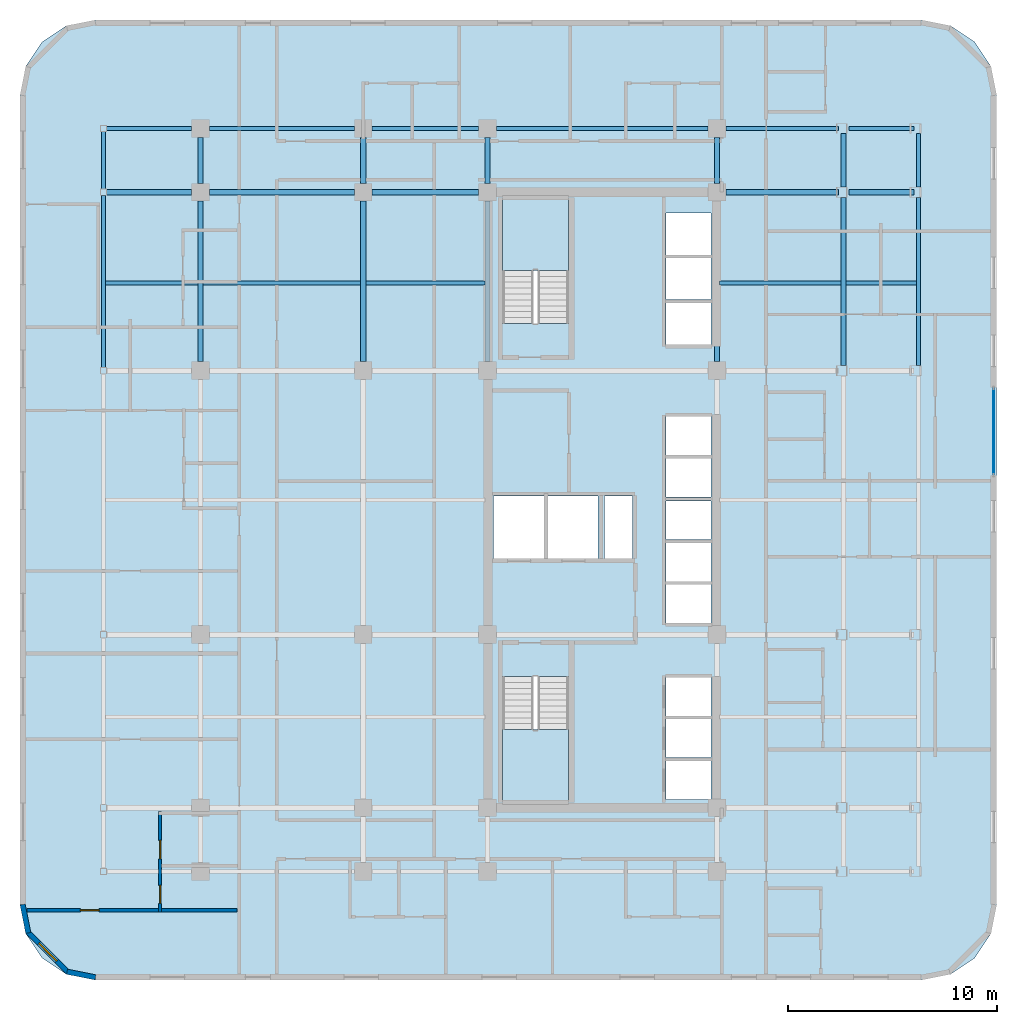
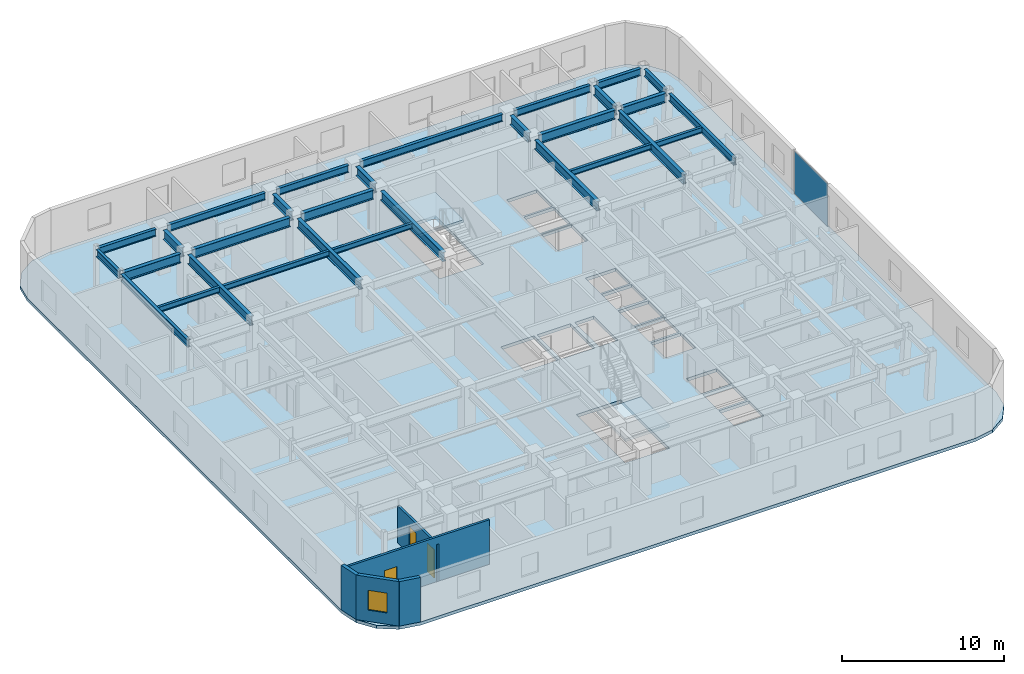
# One storey, part 6 of 13: 30 beams, 5 walls, 3 doors, 3 slabs, 1 plate, 1 window, 4 openings, 3 elements without a shape of their own.
"""IFC4 building model written with IfcOpenShell, lengths in metres."""

from ifc_helpers import new_model, si_unit, direction, frame, frame_2d, origin, origin_2d, place, context, subcontext, project, spatial, polyline, rectangle, i_section, outline, extrude, material, layer, layer_set, material_profile, profile_set, type_object, element, fill, aggregate, save


model = new_model("IFC4")

# Units and contexts
model_context = context("Model", 3, precision=1e-05, world=origin(), true_north=direction((0.0, 1.0)))
body_context = subcontext(model_context, "Body", "Model", "MODEL_VIEW")
ifc_project = project(units=[si_unit("LENGTHUNIT", "METRE"), si_unit("AREAUNIT", "SQUARE_METRE"), si_unit("VOLUMEUNIT", "CUBIC_METRE"), si_unit("PLANEANGLEUNIT", "RADIAN"), si_unit("MASSUNIT", "GRAM", prefix="KILO")], contexts=[model_context])

# Site, building, storey
site_placement = place(None, origin())
site = spatial("IfcSite", under=ifc_project, at=site_placement, CompositionType="ELEMENT")
building_placement = place(site_placement, origin())
building = spatial("IfcBuilding", under=site, at=building_placement, Name="Ochreholt Gables", CompositionType="ELEMENT")
storey_placement = place(building_placement, frame((0.0, 0.0, 34.800048828125)))
storey = spatial("IfcBuildingStorey", under=building, at=storey_placement, Name="L08", CompositionType="ELEMENT", Elevation=34.800048828125)

# Beams
ifc_material_1 = material(Name="Steel CSA G40.21 350W", Category="steel")
ifc_material_profile_1 = material_profile(ifc_material_1, i_section(OverallWidth=0.256103515625, OverallDepth=0.693115234375, WebThickness=0.014404296875, FlangeThickness=0.023681640625, at=origin_2d()), Name="W690X170")
ifc_profile_set_1 = profile_set([ifc_material_profile_1], Name="Steel CSA G40.21 350W")
beam_type_1 = type_object("IfcBeamType", Name="BM-G-W690", PredefinedType="BEAM", material=ifc_profile_set_1)
beam_1_placement = place(storey_placement, frame((5.9521484375, 38.75, 3.013427734375), z_axis=(1.0, 0.0, 0.0), x_axis=(0.0, 1.0, 0.0)))
element("IfcBeam", 1, at=beam_1_placement, inside=storey, type_object=beam_type_1, Name="L08 Beam TBG-L08-WTW2-Y5", PredefinedType="BEAM", context=body_context, shape_type="SweptSolid", body=[
    extrude(i_section(OverallWidth=0.256103515625, OverallDepth=0.693115234375, WebThickness=0.014404296875, FlangeThickness=0.023681640625, at=origin_2d()), origin(), (0.0, 0.0, 1.0), 4.0732421875),
])
beam_2_placement = place(storey_placement, frame((10.87451171875, 38.75, 3.013427734375), z_axis=(1.0, 0.0, 0.0), x_axis=(0.0, 1.0, 0.0)))
element("IfcBeam", 2, at=beam_2_placement, inside=storey, type_object=beam_type_1, Name="L08 Beam TBG-L08-W2W3-Y5", PredefinedType="BEAM", context=body_context, shape_type="SweptSolid", body=[
    extrude(i_section(OverallWidth=0.256103515625, OverallDepth=0.693115234375, WebThickness=0.014404296875, FlangeThickness=0.023681640625, at=origin_2d()), origin(), (0.0, 0.0, 1.0), 6.950927734375),
])
beam_3_placement = place(storey_placement, frame((18.674560546875, 38.75, 3.013427734375), z_axis=(1.0, 0.0, 0.0), x_axis=(0.0, 1.0, 0.0)))
element("IfcBeam", 3, at=beam_3_placement, inside=storey, type_object=beam_type_1, Name="L08 Beam TBG-L08-W3C1-Y5", PredefinedType="BEAM", context=body_context, shape_type="SweptSolid", body=[
    extrude(i_section(OverallWidth=0.256103515625, OverallDepth=0.693115234375, WebThickness=0.014404296875, FlangeThickness=0.023681640625, at=origin_2d()), origin(), (0.0, 0.0, 1.0), 5.100830078125),
])
beam_4_placement = place(storey_placement, frame((35.62451171875, 38.75, 3.013427734375), z_axis=(1.0, 0.0, 0.0), x_axis=(0.0, 1.0, 0.0)))
element("IfcBeam", 4, at=beam_4_placement, inside=storey, type_object=beam_type_1, Name="L08 Beam TBG-L08-C2EM-Y5", PredefinedType="BEAM", context=body_context, shape_type="SweptSolid", body=[
    extrude(i_section(OverallWidth=0.256103515625, OverallDepth=0.693115234375, WebThickness=0.014404296875, FlangeThickness=0.023681640625, at=origin_2d()), origin(), (0.0, 0.0, 1.0), 5.406005859375),
])
beam_5_placement = place(storey_placement, frame((41.529541015625, 38.75, 3.013427734375), z_axis=(1.0, 0.0, 0.0), x_axis=(0.0, 1.0, 0.0)))
element("IfcBeam", 5, at=beam_5_placement, inside=storey, type_object=beam_type_1, Name="L08 Beam TBG-L08-EMEE-Y5", PredefinedType="BEAM", context=body_context, shape_type="SweptSolid", body=[
    extrude(i_section(OverallWidth=0.256103515625, OverallDepth=0.693115234375, WebThickness=0.014404296875, FlangeThickness=0.023681640625, at=origin_2d()), origin(), (0.0, 0.0, 1.0), 3.10498046875),
])
beam_6_placement = place(storey_placement, frame((10.449951171875, 30.62451171875, 3.013427734375), z_axis=(0.0, 1.0, 0.0), x_axis=(-1.0, 0.0, 0.0)))
element("IfcBeam", 6, at=beam_6_placement, inside=storey, type_object=beam_type_1, Name="L08 Beam TBN-L08-W2-Y4Y5", PredefinedType="BEAM", context=body_context, shape_type="SweptSolid", body=[
    extrude(i_section(OverallWidth=0.256103515625, OverallDepth=0.693115234375, WebThickness=0.014404296875, FlangeThickness=0.023681640625, at=origin_2d()), origin(), (0.0, 0.0, 1.0), 7.700927734375),
])
beam_7_placement = place(storey_placement, frame((10.449951171875, 39.174560546875, 3.013427734375), z_axis=(0.0, 1.0, 0.0), x_axis=(-1.0, 0.0, 0.0)))
element("IfcBeam", 7, at=beam_7_placement, inside=storey, type_object=beam_type_1, Name="L08 Beam TBN-L08-W2-Y5Y6", PredefinedType="BEAM", context=body_context, shape_type="SweptSolid", body=[
    extrude(i_section(OverallWidth=0.256103515625, OverallDepth=0.693115234375, WebThickness=0.014404296875, FlangeThickness=0.023681640625, at=origin_2d()), origin(), (0.0, 0.0, 1.0), 2.200927734375),
])
beam_8_placement = place(storey_placement, frame((18.25, 30.62451171875, 3.013427734375), z_axis=(0.0, 1.0, 0.0), x_axis=(-1.0, 0.0, 0.0)))
element("IfcBeam", 8, at=beam_8_placement, inside=storey, type_object=beam_type_1, Name="L08 Beam TBN-L08-W3-Y4Y5", PredefinedType="BEAM", context=body_context, shape_type="SweptSolid", body=[
    extrude(i_section(OverallWidth=0.256103515625, OverallDepth=0.693115234375, WebThickness=0.014404296875, FlangeThickness=0.023681640625, at=origin_2d()), origin(), (0.0, 0.0, 1.0), 7.700927734375),
])
beam_9_placement = place(storey_placement, frame((18.25, 39.174560546875, 3.013427734375), z_axis=(0.0, 1.0, 0.0), x_axis=(-1.0, 0.0, 0.0)))
element("IfcBeam", 9, at=beam_9_placement, inside=storey, type_object=beam_type_1, Name="L08 Beam TBN-L08-W3-Y5Y6", PredefinedType="BEAM", context=body_context, shape_type="SweptSolid", body=[
    extrude(i_section(OverallWidth=0.256103515625, OverallDepth=0.693115234375, WebThickness=0.014404296875, FlangeThickness=0.023681640625, at=origin_2d()), origin(), (0.0, 0.0, 1.0), 2.200927734375),
])
beam_10_placement = place(storey_placement, frame((24.199951171875, 30.62451171875, 3.013427734375), z_axis=(0.0, 1.0, 0.0), x_axis=(-1.0, 0.0, 0.0)))
element("IfcBeam", 10, at=beam_10_placement, inside=storey, type_object=beam_type_1, Name="L08 Beam TBN-L08-C1-Y4Y5", PredefinedType="BEAM", context=body_context, shape_type="SweptSolid", body=[
    extrude(i_section(OverallWidth=0.256103515625, OverallDepth=0.693115234375, WebThickness=0.014404296875, FlangeThickness=0.023681640625, at=origin_2d()), origin(), (0.0, 0.0, 1.0), 7.700927734375),
])
beam_11_placement = place(storey_placement, frame((24.199951171875, 39.174560546875, 3.013427734375), z_axis=(0.0, 1.0, 0.0), x_axis=(-1.0, 0.0, 0.0)))
element("IfcBeam", 11, at=beam_11_placement, inside=storey, type_object=beam_type_1, Name="L08 Beam TBN-L08-C1-Y5Y6", PredefinedType="BEAM", context=body_context, shape_type="SweptSolid", body=[
    extrude(i_section(OverallWidth=0.256103515625, OverallDepth=0.693115234375, WebThickness=0.014404296875, FlangeThickness=0.023681640625, at=origin_2d()), origin(), (0.0, 0.0, 1.0), 2.200927734375),
])
beam_12_placement = place(storey_placement, frame((35.199951171875, 30.62451171875, 3.013427734375), z_axis=(0.0, 1.0, 0.0), x_axis=(-1.0, 0.0, 0.0)))
element("IfcBeam", 12, at=beam_12_placement, inside=storey, type_object=beam_type_1, Name="L08 Beam TBN-L08-C2-Y4Y5", PredefinedType="BEAM", context=body_context, shape_type="SweptSolid", body=[
    extrude(i_section(OverallWidth=0.256103515625, OverallDepth=0.693115234375, WebThickness=0.014404296875, FlangeThickness=0.023681640625, at=origin_2d()), origin(), (0.0, 0.0, 1.0), 7.700927734375),
])
beam_13_placement = place(storey_placement, frame((35.199951171875, 39.174560546875, 3.013427734375), z_axis=(0.0, 1.0, 0.0), x_axis=(-1.0, 0.0, 0.0)))
element("IfcBeam", 13, at=beam_13_placement, inside=storey, type_object=beam_type_1, Name="L08 Beam TBN-L08-C2-Y5Y6", PredefinedType="BEAM", context=body_context, shape_type="SweptSolid", body=[
    extrude(i_section(OverallWidth=0.256103515625, OverallDepth=0.693115234375, WebThickness=0.014404296875, FlangeThickness=0.023681640625, at=origin_2d()), origin(), (0.0, 0.0, 1.0), 2.200927734375),
])
beam_14_placement = place(storey_placement, frame((41.262939453125, 30.44970703125, 3.013427734375), z_axis=(0.0, 1.0, 0.0), x_axis=(-1.0, 0.0, 0.0)))
element("IfcBeam", 14, at=beam_14_placement, inside=storey, type_object=beam_type_1, Name="L08 Beam TBN-L08-EM-Y4Y5", PredefinedType="BEAM", context=body_context, shape_type="SweptSolid", body=[
    extrude(i_section(OverallWidth=0.256103515625, OverallDepth=0.693115234375, WebThickness=0.014404296875, FlangeThickness=0.023681640625, at=origin_2d()), origin(), (0.0, 0.0, 1.0), 8.05078125),
])
beam_15_placement = place(storey_placement, frame((41.262939453125, 38.99951171875, 3.013427734375), z_axis=(0.0, 1.0, 0.0), x_axis=(-1.0, 0.0, 0.0)))
element("IfcBeam", 15, at=beam_15_placement, inside=storey, type_object=beam_type_1, Name="L08 Beam TBN-L08-EM-Y5Y6", PredefinedType="BEAM", context=body_context, shape_type="SweptSolid", body=[
    extrude(i_section(OverallWidth=0.256103515625, OverallDepth=0.693115234375, WebThickness=0.014404296875, FlangeThickness=0.023681640625, at=origin_2d()), origin(), (0.0, 0.0, 1.0), 2.55078125),
])
ifc_material_profile_2 = material_profile(ifc_material_1, i_section(OverallWidth=0.178955078125, OverallDepth=0.409912109375, WebThickness=0.0087890625, FlangeThickness=0.014404296875, at=origin_2d()), Name="W410X67")
ifc_profile_set_2 = profile_set([ifc_material_profile_2], Name="Steel CSA G40.21 350W")
beam_type_2 = type_object("IfcBeamType", Name="BM-J-W410", PredefinedType="JOIST", material=ifc_profile_set_2)
beam_16_placement = place(storey_placement, frame((5.904052734375, 34.39990234375, 3.155029296875), z_axis=(1.0, 0.0, 0.0), x_axis=(0.0, 1.0, 0.0)))
element("IfcBeam", 16, at=beam_16_placement, inside=storey, type_object=beam_type_2, Name="L08 Beam TBJ-L08-J3-WTW2", PredefinedType="JOIST", context=body_context, shape_type="SweptSolid", body=[
    extrude(i_section(OverallWidth=0.178955078125, OverallDepth=0.409912109375, WebThickness=0.0087890625, FlangeThickness=0.014404296875, at=origin_2d()), origin(), (0.0, 0.0, 1.0), 4.41845703125),
])
beam_17_placement = place(storey_placement, frame((10.57763671875, 34.39990234375, 3.155029296875), z_axis=(1.0, 0.0, 0.0), x_axis=(0.0, 1.0, 0.0)))
element("IfcBeam", 17, at=beam_17_placement, inside=storey, type_object=beam_type_2, Name="L08 Beam TBJ-L08-J3-W2W3", PredefinedType="JOIST", context=body_context, shape_type="SweptSolid", body=[
    extrude(i_section(OverallWidth=0.178955078125, OverallDepth=0.409912109375, WebThickness=0.0087890625, FlangeThickness=0.014404296875, at=origin_2d()), origin(), (0.0, 0.0, 1.0), 7.544677734375),
])
beam_18_placement = place(storey_placement, frame((18.377685546875, 34.39990234375, 3.155029296875), z_axis=(1.0, 0.0, 0.0), x_axis=(0.0, 1.0, 0.0)))
element("IfcBeam", 18, at=beam_18_placement, inside=storey, type_object=beam_type_2, Name="L08 Beam TBJ-L08-J3-W3C1", PredefinedType="JOIST", context=body_context, shape_type="SweptSolid", body=[
    extrude(i_section(OverallWidth=0.178955078125, OverallDepth=0.409912109375, WebThickness=0.0087890625, FlangeThickness=0.014404296875, at=origin_2d()), origin(), (0.0, 0.0, 1.0), 5.69482421875),
])
beam_19_placement = place(storey_placement, frame((35.32763671875, 34.39990234375, 3.155029296875), z_axis=(1.0, 0.0, 0.0), x_axis=(0.0, 1.0, 0.0)))
element("IfcBeam", 19, at=beam_19_placement, inside=storey, type_object=beam_type_2, Name="L08 Beam TBJ-L08-J3-C2EM", PredefinedType="JOIST", context=body_context, shape_type="SweptSolid", body=[
    extrude(i_section(OverallWidth=0.178955078125, OverallDepth=0.409912109375, WebThickness=0.0087890625, FlangeThickness=0.014404296875, at=origin_2d()), origin(), (0.0, 0.0, 1.0), 5.8076171875),
])
beam_20_placement = place(storey_placement, frame((41.390380859375, 34.39990234375, 3.155029296875), z_axis=(1.0, 0.0, 0.0), x_axis=(0.0, 1.0, 0.0)))
element("IfcBeam", 20, at=beam_20_placement, inside=storey, type_object=beam_type_2, Name="L08 Beam TBJ-L08-J3-EMEE", PredefinedType="JOIST", context=body_context, shape_type="SweptSolid", body=[
    extrude(i_section(OverallWidth=0.178955078125, OverallDepth=0.409912109375, WebThickness=0.0087890625, FlangeThickness=0.014404296875, at=origin_2d()), origin(), (0.0, 0.0, 1.0), 3.361083984375),
])
ifc_material_profile_3 = material_profile(ifc_material_1, i_section(OverallWidth=0.208984375, OverallDepth=0.532958984375, WebThickness=0.01025390625, FlangeThickness=0.015625, at=origin_2d()), Name="W530X92")
ifc_profile_set_3 = profile_set([ifc_material_profile_3], Name="Steel CSA G40.21 350W")
beam_type_3 = type_object("IfcBeamType", Name="BM-SP-W530B", PredefinedType="SPANDREL", material=ifc_profile_set_3)
beam_21_placement = place(storey_placement, frame((5.9521484375, 41.800048828125, 3.093505859375), z_axis=(1.0, 0.0, 0.0), x_axis=(0.0, 1.0, 0.0)))
element("IfcBeam", 21, at=beam_21_placement, inside=storey, type_object=beam_type_3, Name="L08 Beam TBG-L08-WTW2-Y6", PredefinedType="SPANDREL", context=body_context, shape_type="SweptSolid", body=[
    extrude(i_section(OverallWidth=0.208984375, OverallDepth=0.532958984375, WebThickness=0.01025390625, FlangeThickness=0.015625, at=origin_2d()), origin(), (0.0, 0.0, 1.0), 4.0732421875),
])
beam_22_placement = place(storey_placement, frame((10.87451171875, 41.800048828125, 3.093505859375), z_axis=(1.0, 0.0, 0.0), x_axis=(0.0, 1.0, 0.0)))
element("IfcBeam", 22, at=beam_22_placement, inside=storey, type_object=beam_type_3, Name="L08 Beam TBG-L08-W2W3-Y6", PredefinedType="SPANDREL", context=body_context, shape_type="SweptSolid", body=[
    extrude(i_section(OverallWidth=0.208984375, OverallDepth=0.532958984375, WebThickness=0.01025390625, FlangeThickness=0.015625, at=origin_2d()), origin(), (0.0, 0.0, 1.0), 6.950927734375),
])
beam_23_placement = place(storey_placement, frame((18.674560546875, 41.800048828125, 3.093505859375), z_axis=(1.0, 0.0, 0.0), x_axis=(0.0, 1.0, 0.0)))
element("IfcBeam", 23, at=beam_23_placement, inside=storey, type_object=beam_type_3, Name="L08 Beam TBG-L08-W3C1-Y6", PredefinedType="SPANDREL", context=body_context, shape_type="SweptSolid", body=[
    extrude(i_section(OverallWidth=0.208984375, OverallDepth=0.532958984375, WebThickness=0.01025390625, FlangeThickness=0.015625, at=origin_2d()), origin(), (0.0, 0.0, 1.0), 5.100830078125),
])
beam_24_placement = place(storey_placement, frame((24.62451171875, 41.800048828125, 3.093505859375), z_axis=(1.0, 0.0, 0.0), x_axis=(0.0, 1.0, 0.0)))
element("IfcBeam", 24, at=beam_24_placement, inside=storey, type_object=beam_type_3, Name="L08 Beam TBG-L08-C1C2-Y6", PredefinedType="SPANDREL", context=body_context, shape_type="SweptSolid", body=[
    extrude(i_section(OverallWidth=0.208984375, OverallDepth=0.532958984375, WebThickness=0.01025390625, FlangeThickness=0.015625, at=origin_2d()), origin(), (0.0, 0.0, 1.0), 10.15087890625),
])
beam_25_placement = place(storey_placement, frame((35.62451171875, 41.800048828125, 3.093505859375), z_axis=(1.0, 0.0, 0.0), x_axis=(0.0, 1.0, 0.0)))
element("IfcBeam", 25, at=beam_25_placement, inside=storey, type_object=beam_type_3, Name="L08 Beam TBG-L08-C2EM-Y6", PredefinedType="SPANDREL", context=body_context, shape_type="SweptSolid", body=[
    extrude(i_section(OverallWidth=0.208984375, OverallDepth=0.532958984375, WebThickness=0.01025390625, FlangeThickness=0.015625, at=origin_2d()), origin(), (0.0, 0.0, 1.0), 5.406005859375),
])
beam_26_placement = place(storey_placement, frame((41.529541015625, 41.800048828125, 3.093505859375), z_axis=(1.0, 0.0, 0.0), x_axis=(0.0, 1.0, 0.0)))
element("IfcBeam", 26, at=beam_26_placement, inside=storey, type_object=beam_type_3, Name="L08 Beam TBG-L08-EMEE-Y6", PredefinedType="SPANDREL", context=body_context, shape_type="SweptSolid", body=[
    extrude(i_section(OverallWidth=0.208984375, OverallDepth=0.532958984375, WebThickness=0.01025390625, FlangeThickness=0.015625, at=origin_2d()), origin(), (0.0, 0.0, 1.0), 3.10498046875),
])
beam_27_placement = place(storey_placement, frame((5.800048828125, 30.35205078125, 3.093505859375), z_axis=(0.0, 1.0, 0.0), x_axis=(-1.0, 0.0, 0.0)))
element("IfcBeam", 27, at=beam_27_placement, inside=storey, type_object=beam_type_3, Name="L08 Beam TBN-L08-WT-Y4Y5", PredefinedType="SPANDREL", context=body_context, shape_type="SweptSolid", body=[
    extrude(i_section(OverallWidth=0.208984375, OverallDepth=0.532958984375, WebThickness=0.01025390625, FlangeThickness=0.015625, at=origin_2d()), origin(), (0.0, 0.0, 1.0), 8.245849609375),
])
beam_28_placement = place(storey_placement, frame((5.800048828125, 38.902099609375, 3.093505859375), z_axis=(0.0, 1.0, 0.0), x_axis=(-1.0, 0.0, 0.0)))
element("IfcBeam", 28, at=beam_28_placement, inside=storey, type_object=beam_type_3, Name="L08 Beam TBN-L08-WT-Y5Y6", PredefinedType="SPANDREL", context=body_context, shape_type="SweptSolid", body=[
    extrude(i_section(OverallWidth=0.208984375, OverallDepth=0.532958984375, WebThickness=0.01025390625, FlangeThickness=0.015625, at=origin_2d()), origin(), (0.0, 0.0, 1.0), 2.745849609375),
])
beam_29_placement = place(storey_placement, frame((44.855712890625, 30.44970703125, 3.093505859375), z_axis=(0.0, 1.0, 0.0), x_axis=(-1.0, 0.0, 0.0)))
element("IfcBeam", 29, at=beam_29_placement, inside=storey, type_object=beam_type_3, Name="L08 Beam TBN-L08-EE-Y4Y5", PredefinedType="SPANDREL", context=body_context, shape_type="SweptSolid", body=[
    extrude(i_section(OverallWidth=0.208984375, OverallDepth=0.532958984375, WebThickness=0.01025390625, FlangeThickness=0.015625, at=origin_2d()), origin(), (0.0, 0.0, 1.0), 8.05078125),
])
beam_30_placement = place(storey_placement, frame((44.855712890625, 38.99951171875, 3.093505859375), z_axis=(0.0, 1.0, 0.0), x_axis=(-1.0, 0.0, 0.0)))
element("IfcBeam", 30, at=beam_30_placement, inside=storey, type_object=beam_type_3, Name="L08 Beam TBN-L08-EE-Y5Y6", PredefinedType="SPANDREL", context=body_context, shape_type="SweptSolid", body=[
    extrude(i_section(OverallWidth=0.208984375, OverallDepth=0.532958984375, WebThickness=0.01025390625, FlangeThickness=0.015625, at=origin_2d()), origin(), (0.0, 0.0, 1.0), 2.55078125),
])

# Curtain wall, plate
ifc_material_2 = material(Name="Unitised Aluminium and Triple Glazing", Category="aluminium")
ifc_layer_1 = layer(ifc_material_2, 0.179931640625, Name="Unitised Aluminium and Triple Glazing")
ifc_layer_set_1 = layer_set([ifc_layer_1], Name="Unitised Aluminium and Triple Glazing")
curtain_wall_type = type_object("IfcCurtainWallType", Name="CW-SYS2", PredefinedType="NOTDEFINED", material=ifc_layer_set_1)
curtain_wall_placement = place(storey_placement, origin())
curtain_wall = element("IfcCurtainWall", 31, at=curtain_wall_placement, inside=storey, type_object=curtain_wall_type, Name="L08 East Unitised Curtain Wall", PredefinedType="NOTDEFINED")
ifc_material_3 = material(Name="Triple Low-E Insulating Glass", Category="glass")
ifc_layer_2 = layer(ifc_material_3, 0.031982421875, Name="Triple Low-E Insulating Glass")
ifc_layer_set_2 = layer_set([ifc_layer_2], Name="Triple Low-E Insulating Glass")
plate_type = type_object("IfcPlateType", Name="CW-PNL-32", PredefinedType="CURTAIN_PANEL", material=ifc_layer_set_2)
plate_placement = place(storey_placement, frame((48.455078125, 27.284912109375, 0.06494140625), z_axis=(0.0, 0.0, 1.0), x_axis=(0.0, 1.0, 0.0)))
plate = element("IfcPlate", 32, at=plate_placement, type_object=plate_type, Name="CW-2 panel 1.1", PredefinedType="CURTAIN_PANEL", context=body_context, shape_type="SweptSolid", body=[
    extrude(rectangle(XDim=4.10009765625, YDim=0.031982421875, at=origin_2d()), origin(), (0.0, 0.0, 1.0), 3.22998046875),
])
aggregate(curtain_wall, [plate])

# Stair, slab
ifc_material_4 = material(Name="Concrete 40 MPa", Category="concrete")
stair_type_1 = type_object("IfcStairType", Name="STAIR-CORE-ST-1", PredefinedType="HALF_TURN_STAIR", material=ifc_material_4)
stair_1_placement = place(storey_placement, origin())
stair_1 = element("IfcStair", 33, at=stair_1_placement, inside=storey, type_object=stair_type_1, Name="L08 Core Exit Stair 1", PredefinedType="HALF_TURN_STAIR")
ifc_layer_3 = layer(ifc_material_4, 0.199951171875, Name="Concrete 40 MPa")
ifc_layer_set_3 = layer_set([ifc_layer_3], Name="Concrete 40 MPa")
slab_type_1 = type_object("IfcSlabType", Name="LANDING-RC200", PredefinedType="LANDING", material=ifc_layer_set_3)
slab_1_placement = place(storey_placement, frame((0.0, 0.0, 1.599853515625)))
slab_1 = element("IfcSlab", 34, at=slab_1_placement, type_object=slab_type_1, Name="ST-1 landing 1", PredefinedType="LANDING", context=body_context, shape_type="SweptSolid", body=[
    extrude(outline(polyline([(24.919921875, 13.001953125), (24.919921875, 9.52001953125), (28.080078125, 9.52001953125), (28.080078125, 13.001953125), (24.919921875, 13.001953125)])), origin(), (0.0, 0.0, 1.0), 0.2001953125),
])
aggregate(stair_1, [slab_1])

stair_type_2 = type_object("IfcStairType", Name="STAIR-CORE-ST-2", PredefinedType="HALF_TURN_STAIR", material=ifc_material_4)
stair_2_placement = place(storey_placement, origin())
stair_2 = element("IfcStair", 35, at=stair_2_placement, inside=storey, type_object=stair_type_2, Name="L08 Core Exit Stair 2", PredefinedType="HALF_TURN_STAIR")
slab_2_placement = place(storey_placement, frame((0.0, 0.0, 1.599853515625)))
slab_2 = element("IfcSlab", 36, at=slab_2_placement, type_object=slab_type_1, Name="ST-2 landing 1", PredefinedType="LANDING", context=body_context, shape_type="SweptSolid", body=[
    extrude(outline(polyline([(28.080078125, 34.998046875), (28.080078125, 38.47998046875), (24.919921875, 38.47998046875), (24.919921875, 34.998046875), (28.080078125, 34.998046875)])), origin(), (0.0, 0.0, 1.0), 0.2001953125),
])
aggregate(stair_2, [slab_2])

# Slab
ifc_layer_4 = layer(ifc_material_4, 0.239990234375, Name="Concrete 40 MPa")
ifc_layer_set_4 = layer_set([ifc_layer_4], Name="Concrete 40 MPa")
slab_type_2 = type_object("IfcSlabType", Name="SLAB-TWR-240", PredefinedType="FLOOR", material=ifc_layer_set_4)
slab_3_placement = place(storey_placement, frame((0.0, 0.0, -0.239990234375)))
element("IfcSlab", 37, at=slab_3_placement, inside=storey, type_object=slab_type_2, Name="L08 Structural Floor Slab", PredefinedType="FLOOR", context=body_context, shape_type="SweptSolid", body=[
    extrude(outline(polyline([(1.800048828125, 4.60009765625), (2.073974609375, 3.222412109375), (2.8544921875, 2.054443359375), (4.022216796875, 1.27392578125), (5.39990234375, 1.0), (45.0, 1.0), (46.377685546875, 1.27392578125), (47.545654296875, 2.054443359375), (48.325927734375, 3.222412109375), (48.60009765625, 4.60009765625), (48.60009765625, 43.39990234375), (48.325927734375, 44.777587890625), (47.545654296875, 45.945556640625), (46.377685546875, 46.72607421875), (45.0, 47.0), (5.39990234375, 47.0), (4.022216796875, 46.72607421875), (2.8544921875, 45.945556640625), (2.073974609375, 44.777587890625), (1.800048828125, 43.39990234375), (1.800048828125, 4.60009765625)]), holes=[polyline([(24.919921875, 15.539306640625), (24.919921875, 9.52001953125), (28.080078125, 9.52001953125), (28.080078125, 15.539306640625), (24.919921875, 15.539306640625)]), polyline([(28.080078125, 32.460693359375), (28.080078125, 38.47998046875), (24.919921875, 38.47998046875), (24.919921875, 32.460693359375), (28.080078125, 32.460693359375)]), polyline([(24.5, 21.199951171875), (26.89990234375, 21.199951171875), (26.89990234375, 24.199951171875), (24.5, 24.199951171875), (24.5, 21.199951171875)]), polyline([(27.10009765625, 21.199951171875), (29.5, 21.199951171875), (29.5, 24.199951171875), (27.10009765625, 24.199951171875), (27.10009765625, 21.199951171875)]), polyline([(32.75, 9.64990234375), (34.89990234375, 9.64990234375), (34.89990234375, 11.5), (32.75, 11.5), (32.75, 9.64990234375)]), polyline([(32.75, 11.64990234375), (34.89990234375, 11.64990234375), (34.89990234375, 13.5), (32.75, 13.5), (32.75, 11.64990234375)]), polyline([(32.75, 13.64990234375), (34.89990234375, 13.64990234375), (34.89990234375, 15.5), (32.75, 15.5), (32.75, 13.64990234375)]), polyline([(32.75, 18.10009765625), (34.89990234375, 18.10009765625), (34.89990234375, 19.949951171875), (32.75, 19.949951171875), (32.75, 18.10009765625)]), polyline([(32.75, 20.10009765625), (34.89990234375, 20.10009765625), (34.89990234375, 21.949951171875), (32.75, 21.949951171875), (32.75, 20.10009765625)]), polyline([(32.75, 22.10009765625), (34.89990234375, 22.10009765625), (34.89990234375, 23.949951171875), (32.75, 23.949951171875), (32.75, 22.10009765625)]), polyline([(32.75, 24.14990234375), (34.89990234375, 24.14990234375), (34.89990234375, 26.0), (32.75, 26.0), (32.75, 24.14990234375)]), polyline([(32.75, 26.14990234375), (34.89990234375, 26.14990234375), (34.89990234375, 28.0), (32.75, 28.0), (32.75, 26.14990234375)]), polyline([(32.75, 31.449951171875), (34.89990234375, 31.449951171875), (34.89990234375, 33.449951171875), (32.75, 33.449951171875), (32.75, 31.449951171875)]), polyline([(32.75, 33.60009765625), (34.89990234375, 33.60009765625), (34.89990234375, 35.60009765625), (32.75, 35.60009765625), (32.75, 33.60009765625)]), polyline([(32.75, 35.75), (34.89990234375, 35.75), (34.89990234375, 37.75), (32.75, 37.75), (32.75, 35.75)]), polyline([(29.800048828125, 21.199951171875), (31.14990234375, 21.199951171875), (31.14990234375, 24.199951171875), (29.800048828125, 24.199951171875), (29.800048828125, 21.199951171875)])]), origin(), (0.0, 0.0, 1.0), 0.239990234375),
])

# Wall
ifc_material_5 = material(Name="Precast concrete 40 MPa", Category="concrete")
ifc_layer_5 = layer(ifc_material_5, 0.25, Name="Precast concrete 40 MPa")
ifc_layer_set_5 = layer_set([ifc_layer_5], Name="Precast concrete 40 MPa")
wall_type_1 = type_object("IfcWallType", Name="WALL-EXT-CNR", PredefinedType="SOLIDWALL", material=ifc_layer_set_5)
wall_1_placement = place(storey_placement, frame((1.92431640625, 4.616455078125, 0.0), z_axis=(0.0, 0.0, 1.0), x_axis=(0.19496651342, -0.980809899341, 0.0)))
element("IfcWall", 38, at=wall_1_placement, inside=storey, type_object=wall_type_1, Name="L08 Rounded Corner Wall SW-1", PredefinedType="SOLIDWALL", context=body_context, shape_type="SweptSolid", body=[
    extrude(rectangle(XDim=1.388671875, YDim=0.25, at=frame_2d((0.6943359375, 0.0))), origin(), (0.0, 0.0, 1.0), 3.35986328125),
])

# Wall, opening, window
wall_2_placement = place(storey_placement, frame((2.16796875, 3.304931640625, 0.0), z_axis=(0.0, 0.0, 1.0), x_axis=(0.707106781187, -0.707106781187, 0.0)))
wall_2 = element("IfcWall", 39, at=wall_2_placement, inside=storey, type_object=wall_type_1, Name="L08 Rounded Corner Wall SW-2", PredefinedType="SOLIDWALL", context=body_context, shape_type="SweptSolid", body=[
    extrude(rectangle(XDim=2.7392578125, YDim=0.25, at=frame_2d((1.36962890625, 0.0))), origin(), (0.0, 0.0, 1.0), 3.35986328125),
])
opening_1_placement = place(wall_2_placement, frame((0.769775390625, 0.0, 0.85009765625)))
opening_1 = element("IfcOpeningElement", 40, at=opening_1_placement, cuts=wall_2, Name="Opening WN-3", PredefinedType="OPENING", context=body_context, shape_type="SweptSolid", body=[
    extrude(rectangle(XDim=1.199951171875, YDim=1.5, at=frame_2d((0.60009765625, 0.75))), frame((0.0, 0.135009765625, 0.0), z_axis=(0.0, -1.0, 0.0), x_axis=(1.0, 0.0, 0.0)), (0.0, 0.0, 1.0), 0.27001953125),
])
ifc_material_6 = material(Name="Triple-Glazed Thermally Broken Aluminium Window", Category="aluminium")
window_type = type_object("IfcWindowType", Name="WIN-RES-1200", PartitioningType="SINGLE_PANEL", PredefinedType="WINDOW", material=ifc_material_6)
window_placement = place(opening_1_placement, origin())
window = element("IfcWindow", 41, at=window_placement, inside=storey, type_object=window_type, Name="L08 Corner Bedroom Window SW", OverallHeight=1.5, OverallWidth=1.199951171875, PartitioningType="SINGLE_PANEL", PredefinedType="WINDOW", context=body_context, shape_type="SweptSolid", body=[
    extrude(rectangle(XDim=1.199951171875, YDim=1.5, at=frame_2d((0.60009765625, 0.75))), frame((0.0, 0.030029296875, 0.0), z_axis=(0.0, -1.0, 0.0), x_axis=(1.0, 0.0, 0.0)), (0.0, 0.0, 1.0), 0.06005859375),
])
fill(opening_1, window)

# Wall
wall_3_placement = place(storey_placement, frame((4.054443359375, 1.39501953125, 0.0), z_axis=(0.0, 0.0, 1.0), x_axis=(0.980809899341, -0.19496651342, 0.0)))
element("IfcWall", 42, at=wall_3_placement, inside=storey, type_object=wall_type_1, Name="L08 Rounded Corner Wall SW-3", PredefinedType="SOLIDWALL", context=body_context, shape_type="SweptSolid", body=[
    extrude(rectangle(XDim=1.388671875, YDim=0.25, at=frame_2d((0.6943359375, 0.0))), origin(), (0.0, 0.0, 1.0), 3.35986328125),
])

# Wall, openings, doors
ifc_material_7 = material(Name="Moisture-Resistant Plumbing Chase Wall", Category="gypsum")
ifc_layer_6 = layer(ifc_material_7, 0.159912109375, Name="Moisture-Resistant Plumbing Chase Wall")
ifc_layer_set_6 = layer_set([ifc_layer_6], Name="Moisture-Resistant Plumbing Chase Wall")
wall_type_2 = type_object("IfcWallType", Name="WALL-INT-PL160", PredefinedType="PLUMBINGWALL", material=ifc_layer_set_6)
wall_4_placement = place(storey_placement, frame((8.510009765625, 4.25, 0.0), z_axis=(0.0, 0.0, 1.0), x_axis=(0.0, 1.0, 0.0)))
wall_4 = element("IfcWall", 43, at=wall_4_placement, inside=storey, type_object=wall_type_2, Name="L08 Interior Wall WU-L08W1-WX", PredefinedType="PLUMBINGWALL", context=body_context, shape_type="SweptSolid", body=[
    extrude(rectangle(XDim=4.830078125, YDim=0.159912109375, at=frame_2d((2.4150390625, 0.0))), origin(), (0.0, 0.0, 1.0), 2.808837890625),
])
opening_2_placement = place(wall_4_placement, frame((0.419921875, 0.0, 0.0)))
opening_2 = element("IfcOpeningElement", 44, at=opening_2_placement, cuts=wall_4, Name="Opening D-BT1", PredefinedType="OPENING", context=body_context, shape_type="SweptSolid", body=[
    extrude(rectangle(XDim=0.860107421875, YDim=2.1201171875, at=frame_2d((0.43017578125, 1.06005859375))), frame((0.0, 0.08984375, 0.0), z_axis=(0.0, -1.0, 0.0), x_axis=(1.0, 0.0, 0.0)), (0.0, 0.0, 1.0), 0.179931640625),
])
opening_3_placement = place(wall_4_placement, frame((2.55908203125, 0.0, 0.0)))
opening_3 = element("IfcOpeningElement", 45, at=opening_3_placement, cuts=wall_4, Name="Opening D-GN2", PredefinedType="OPENING", context=body_context, shape_type="SweptSolid", body=[
    extrude(rectangle(XDim=0.8798828125, YDim=2.1201171875, at=frame_2d((0.43994140625, 1.06005859375))), frame((0.0, 0.08984375, 0.0), z_axis=(0.0, -1.0, 0.0), x_axis=(1.0, 0.0, 0.0)), (0.0, 0.0, 1.0), 0.179931640625),
])
ifc_material_8 = material(Name="Engineered Oak Timber", Category="wood")
door_type_1 = type_object("IfcDoorType", Name="DR-INT-BTH860", OperationType="NOTDEFINED", PredefinedType="DOOR", material=ifc_material_8)
door_1_placement = place(opening_2_placement, origin())
door_1 = element("IfcDoor", 46, at=door_1_placement, inside=storey, type_object=door_type_1, Name="L08 Door D-U-L08W1-BTH", OperationType="SINGLE_SWING_LEFT", OverallHeight=2.1201171875, OverallWidth=0.860107421875, PredefinedType="DOOR", context=body_context, shape_type="SweptSolid", body=[
    extrude(rectangle(XDim=0.860107421875, YDim=2.1201171875, at=frame_2d((0.43017578125, 1.06005859375))), frame((0.0, 0.02490234375, 0.0), z_axis=(0.0, -1.0, 0.0), x_axis=(1.0, 0.0, 0.0)), (0.0, 0.0, 1.0), 0.050048828125),
])
fill(opening_2, door_1)
door_type_2 = type_object("IfcDoorType", Name="DR-INT-GEN880", OperationType="NOTDEFINED", PredefinedType="DOOR", material=ifc_material_8)
door_2_placement = place(opening_3_placement, origin())
door_2 = element("IfcDoor", 47, at=door_2_placement, inside=storey, type_object=door_type_2, Name="L08 Door D-U-L08W1-KIT", OperationType="SINGLE_SWING_RIGHT", OverallHeight=2.1201171875, OverallWidth=0.8798828125, PredefinedType="DOOR", context=body_context, shape_type="SweptSolid", body=[
    extrude(rectangle(XDim=0.8798828125, YDim=2.1201171875, at=frame_2d((0.43994140625, 1.06005859375))), frame((0.0, 0.02490234375, 0.0), z_axis=(0.0, -1.0, 0.0), x_axis=(1.0, 0.0, 0.0)), (0.0, 0.0, 1.0), 0.050048828125),
])
fill(opening_3, door_2)

# Wall, opening, door
ifc_material_9 = material(Name="Gypsum Acoustic Stud Partition", Category="gypsum")
ifc_layer_7 = layer(ifc_material_9, 0.159912109375, Name="Gypsum Acoustic Stud Partition")
ifc_layer_set_7 = layer_set([ifc_layer_7], Name="Gypsum Acoustic Stud Partition")
wall_type_3 = type_object("IfcWallType", Name="WALL-INT-PT160", PredefinedType="PARTITIONING", material=ifc_layer_set_7)
wall_5_placement = place(storey_placement, frame((2.142333984375, 4.340087890625, 0.0), z_axis=(0.0, 0.0, 1.0), x_axis=(1.0, 0.0, 0.0)))
wall_5 = element("IfcWall", 48, at=wall_5_placement, inside=storey, type_object=wall_type_3, Name="L08 Interior Wall WU-L08W1-MN", PredefinedType="PARTITIONING", context=body_context, shape_type="SweptSolid", body=[
    extrude(rectangle(XDim=10.067626953125, YDim=0.159912109375, at=frame_2d((5.03369140625, 0.0))), origin(), (0.0, 0.0, 1.0), 3.35986328125),
])
opening_4_placement = place(wall_5_placement, frame((2.547607421875, 0.0, 0.0)))
opening_4 = element("IfcOpeningElement", 49, at=opening_4_placement, cuts=wall_5, Name="Opening D-BD1", PredefinedType="OPENING", context=body_context, shape_type="SweptSolid", body=[
    extrude(rectangle(XDim=0.89990234375, YDim=2.139892578125, at=frame_2d((0.449951171875, 1.06982421875))), frame((0.0, 0.08984375, 0.0), z_axis=(0.0, -1.0, 0.0), x_axis=(1.0, 0.0, 0.0)), (0.0, 0.0, 1.0), 0.179931640625),
])
door_type_3 = type_object("IfcDoorType", Name="DR-INT-BED900", OperationType="NOTDEFINED", PredefinedType="DOOR", material=ifc_material_8)
door_3_placement = place(opening_4_placement, origin())
door_3 = element("IfcDoor", 50, at=door_3_placement, inside=storey, type_object=door_type_3, Name="L08 Door D-U-L08W1-BD1", OperationType="SINGLE_SWING_LEFT", OverallHeight=2.139892578125, OverallWidth=0.89990234375, PredefinedType="DOOR", context=body_context, shape_type="SweptSolid", body=[
    extrude(rectangle(XDim=0.89990234375, YDim=2.139892578125, at=frame_2d((0.449951171875, 1.06982421875))), frame((0.0, 0.02490234375, 0.0), z_axis=(0.0, -1.0, 0.0), x_axis=(1.0, 0.0, 0.0)), (0.0, 0.0, 1.0), 0.050048828125),
])
fill(opening_4, door_3)

save(model, "model.ifc")
